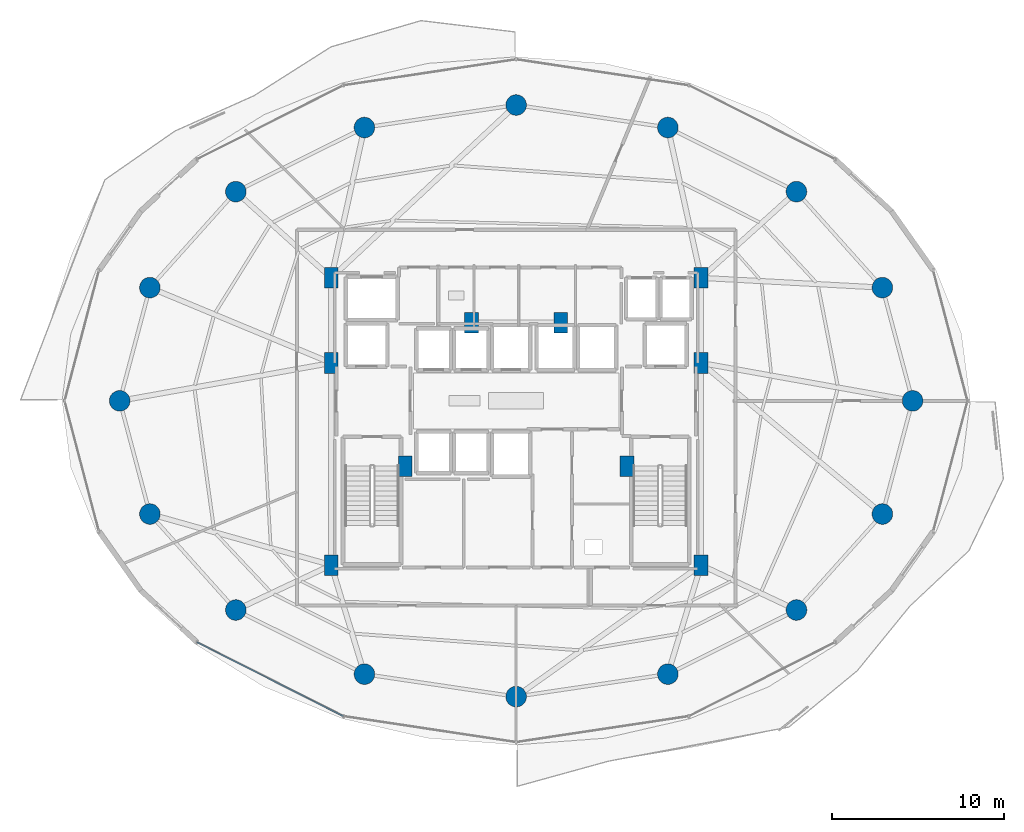
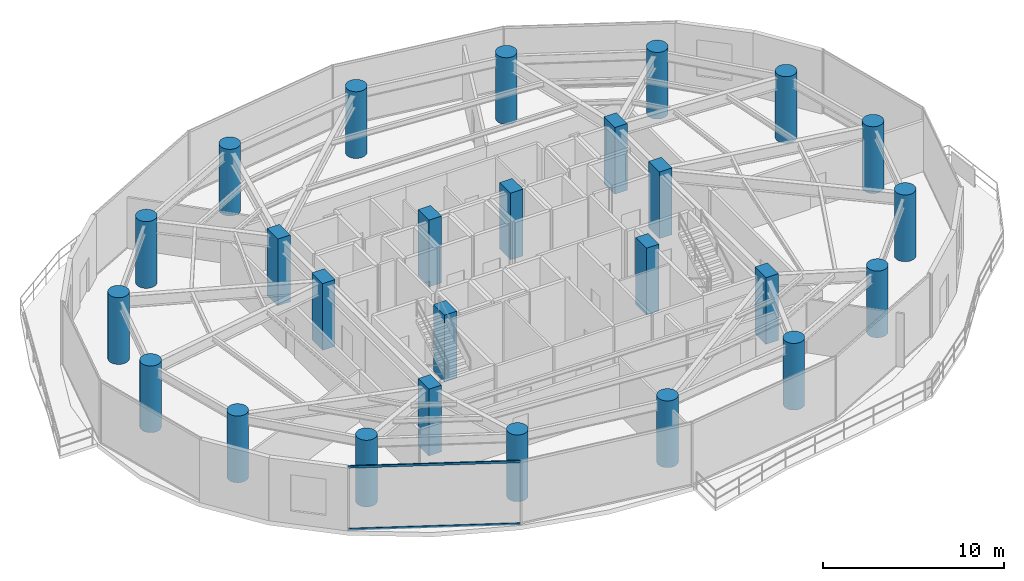
# One storey, part 1 of 27: 26 columns, 2 members, 1 element without a shape of its own.
"""IFC4 building model written with IfcOpenShell, lengths in metres."""

from ifc_helpers import new_model, si_unit, direction, frame, origin, origin_2d, place, context, subcontext, project, spatial, rectangle, hollow_rectangle, circle, extrude, material, material_profile, profile_set, type_object, element, aggregate, save


model = new_model("IFC4")

# Units and contexts
model_context = context("Model", 3, precision=1e-05, world=origin(), true_north=direction((0.0, 1.0)))
body_context = subcontext(model_context, "Body", "Model", "MODEL_VIEW")
ifc_project = project(units=[si_unit("LENGTHUNIT", "METRE"), si_unit("AREAUNIT", "SQUARE_METRE"), si_unit("VOLUMEUNIT", "CUBIC_METRE"), si_unit("PLANEANGLEUNIT", "RADIAN"), si_unit("MASSUNIT", "GRAM", prefix="KILO")], contexts=[model_context])

# Site, building, storey
site_placement = place(None, origin())
site = spatial("IfcSite", under=ifc_project, at=site_placement, CompositionType="ELEMENT")
building_placement = place(site_placement, origin())
building = spatial("IfcBuilding", under=site, at=building_placement, Name="Vorneva Point Tower", CompositionType="ELEMENT")
storey_placement = place(building_placement, frame((0.0, 0.0, 74.300048828125)))
storey = spatial("IfcBuildingStorey", under=building, at=storey_placement, Name="L19", CompositionType="ELEMENT", Elevation=74.300048828125)

# Columns
ifc_material_1 = material(Name="Concrete B60 (C50/60)", Category="concrete")
ifc_material_profile_1 = material_profile(ifc_material_1, circle(Radius=0.60009765625, at=origin_2d()), Name="RC-CIRC 1200")
ifc_profile_set_1 = profile_set([ifc_material_profile_1], Name="Concrete B60 (C50/60)")
column_type_1 = type_object("IfcColumnType", Name="COL-RC1200C", PredefinedType="COLUMN", material=ifc_profile_set_1)
for number, where, z_axis, x_axis, name in (
    (1, (61.050048828125, 26.0, 0.0), (0.0, 0.0, 1.0), (1.0, 0.0, 0.0), "L19 Perimeter Column P01"),
    (2, (59.29541015625, 32.582275390625, 0.0), (0.0, 0.0, 1.0), (0.923879532511, 0.382683432365, 0.0), "L19 Perimeter Column P02"),
    (3, (54.298828125, 38.162109375, 0.0), (0.0, 0.0, 1.0), (0.707106781187, 0.707106781187, 0.0), "L19 Perimeter Column P03"),
    (4, (46.82080078125, 41.890625, 0.0), (0.0, 0.0, 1.0), (0.382683432365, 0.923879532511, 0.0), "L19 Perimeter Column P04"),
    (5, (38.0, 43.199951171875, 0.0), (0.0, 0.0, 1.0), (0.0, 1.0, 0.0), "L19 Perimeter Column P05"),
    (6, (29.17919921875, 41.890625, 0.0), (0.0, 0.0, 1.0), (-0.382683432365, 0.923879532511, 0.0), "L19 Perimeter Column P06"),
    (7, (21.701171875, 38.162109375, 0.0), (0.0, 0.0, 1.0), (-0.707106781187, 0.707106781187, 0.0), "L19 Perimeter Column P07"),
    (8, (16.70458984375, 32.582275390625, 0.0), (0.0, 0.0, 1.0), (-0.923879532511, 0.382683432365, 0.0), "L19 Perimeter Column P08"),
    (9, (14.949951171875, 26.0, 0.0), (0.0, 0.0, 1.0), (-1.0, 0.0, 0.0), "L19 Perimeter Column P09"),
    (10, (16.70458984375, 19.417724609375, 0.0), (0.0, 0.0, 1.0), (-0.923879532511, -0.382683432365, 0.0), "L19 Perimeter Column P10"),
    (11, (21.701171875, 13.837890625, 0.0), (0.0, 0.0, 1.0), (-0.707106781187, -0.707106781187, 0.0), "L19 Perimeter Column P11"),
    (12, (29.17919921875, 10.109375, 0.0), (0.0, 0.0, 1.0), (-0.382683432365, -0.923879532511, 0.0), "L19 Perimeter Column P12"),
    (13, (38.0, 8.800048828125, 0.0), (0.0, 0.0, 1.0), (0.0, -1.0, 0.0), "L19 Perimeter Column P13"),
    (14, (46.82080078125, 10.109375, 0.0), (0.0, 0.0, 1.0), (0.382683432365, -0.923879532511, 0.0), "L19 Perimeter Column P14"),
    (15, (54.298828125, 13.837890625, 0.0), (0.0, 0.0, 1.0), (0.707106781187, -0.707106781187, 0.0), "L19 Perimeter Column P15"),
    (16, (59.29541015625, 19.417724609375, 0.0), (0.0, 0.0, 1.0), (0.923879532511, -0.382683432365, 0.0), "L19 Perimeter Column P16"),
):
    element("IfcColumn", number, at=place(storey_placement, frame(where, z_axis=z_axis, x_axis=x_axis)), inside=storey, type_object=column_type_1, Name=name, PredefinedType="COLUMN", context=body_context, shape_type="SweptSolid", body=[
        extrude(circle(Radius=0.60009765625, at=origin_2d()), origin(), (0.0, 0.0, 1.0), 4.5),
    ])
ifc_material_profile_2 = material_profile(ifc_material_1, rectangle(XDim=0.800048828125, YDim=1.199951171875, at=origin_2d()), Name="RC-PIL 1200x800")
ifc_profile_set_2 = profile_set([ifc_material_profile_2], Name="Concrete B60 (C50/60)")
column_type_2 = type_object("IfcColumnType", Name="PIL-RC1200x800", PredefinedType="PILASTER", material=ifc_profile_set_2)
for number, where, z_axis, x_axis, name in (
    (17, (27.25, 16.449951171875, 0.0), (0.0, 0.0, 1.0), (1.0, 0.0, 0.0), "L19 Core Pilaster CP1"),
    (18, (27.25, 28.199951171875, 0.0), (0.0, 0.0, 1.0), (1.0, 0.0, 0.0), "L19 Core Pilaster CP2"),
    (19, (27.25, 33.14990234375, 0.0), (0.0, 0.0, 1.0), (1.0, 0.0, 0.0), "L19 Core Pilaster CP3"),
    (20, (31.550048828125, 22.199951171875, 0.0), (0.0, 0.0, 1.0), (1.0, 0.0, 0.0), "L19 Core Pilaster CP4"),
    (21, (48.75, 33.14990234375, 0.0), (0.0, 0.0, 1.0), (1.0, 0.0, 0.0), "L19 Core Pilaster CP5"),
    (22, (48.75, 28.199951171875, 0.0), (0.0, 0.0, 1.0), (1.0, 0.0, 0.0), "L19 Core Pilaster CP6"),
    (23, (48.75, 16.449951171875, 0.0), (0.0, 0.0, 1.0), (1.0, 0.0, 0.0), "L19 Core Pilaster CP7"),
    (24, (44.449951171875, 22.199951171875, 0.0), (0.0, 0.0, 1.0), (1.0, 0.0, 0.0), "L19 Core Pilaster CP8"),
    (25, (35.39990234375, 30.550048828125, 0.0), (0.0, 0.0, 1.0), (1.0, 0.0, 0.0), "L19 Core Pilaster CP9"),
    (26, (40.60009765625, 30.550048828125, 0.0), (0.0, 0.0, 1.0), (1.0, 0.0, 0.0), "L19 Core Pilaster CP10"),
):
    element("IfcColumn", number, at=place(storey_placement, frame(where, z_axis=z_axis, x_axis=x_axis)), inside=storey, type_object=column_type_2, Name=name, PredefinedType="PILASTER", context=body_context, shape_type="SweptSolid", body=[
        extrude(rectangle(XDim=0.800048828125, YDim=1.199951171875, at=origin_2d()), origin(), (0.0, 0.0, 1.0), 4.5),
    ])

# Curtain wall, members
ifc_material_2 = material(Name="Pale anodised aluminium", Category="aluminium")
curtain_wall_type = type_object("IfcCurtainWallType", Name="CW-SKY-SYS", PredefinedType="NOTDEFINED", material=ifc_material_2)
curtain_wall_placement = place(storey_placement, origin())
curtain_wall = element("IfcCurtainWall", 27, at=curtain_wall_placement, inside=storey, type_object=curtain_wall_type, Name="L19 Unitised Curtain Wall CW-L19-R04", PredefinedType="NOTDEFINED")
ifc_material_profile_3 = material_profile(ifc_material_2, hollow_rectangle(XDim=0.074951171875, YDim=0.14990234375, WallThickness=0.00390625, at=origin_2d()), Name="AL-TRN 150x75x4")
ifc_profile_set_3 = profile_set([ifc_material_profile_3], Name="Pale anodised aluminium")
member_type = type_object("IfcMemberType", Name="CW-TRN-150", PredefinedType="USERDEFINED", material=ifc_profile_set_3)
member_1_placement = place(storey_placement, frame((19.4384765625, 11.9638671875, 0.02001953125), z_axis=(0.892536035732, -0.450976080207, 0.0), x_axis=(0.450976080207, 0.892536035732, 0.0)))
member_1 = element("IfcMember", 28, at=member_1_placement, type_object=member_type, Name="CW-L19-R04 Transom 01.1", ObjectType="TRANSOM", PredefinedType="USERDEFINED", context=body_context, shape_type="SweptSolid", body=[
    extrude(hollow_rectangle(XDim=0.074951171875, YDim=0.14990234375, WallThickness=0.00390625, at=origin_2d()), origin(), (0.0, 0.0, 1.0), 9.54150390625),
])
member_2_placement = place(storey_placement, frame((19.4384765625, 11.9638671875, 4.219970703125), z_axis=(0.892536035732, -0.450976080207, 0.0), x_axis=(0.450976080207, 0.892536035732, 0.0)))
member_2 = element("IfcMember", 29, at=member_2_placement, type_object=member_type, Name="CW-L19-R04 Transom 01.2", ObjectType="TRANSOM", PredefinedType="USERDEFINED", context=body_context, shape_type="SweptSolid", body=[
    extrude(hollow_rectangle(XDim=0.074951171875, YDim=0.14990234375, WallThickness=0.00390625, at=origin_2d()), origin(), (0.0, 0.0, 1.0), 9.54150390625),
])
aggregate(curtain_wall, [member_1, member_2])

save(model, "model.ifc")
